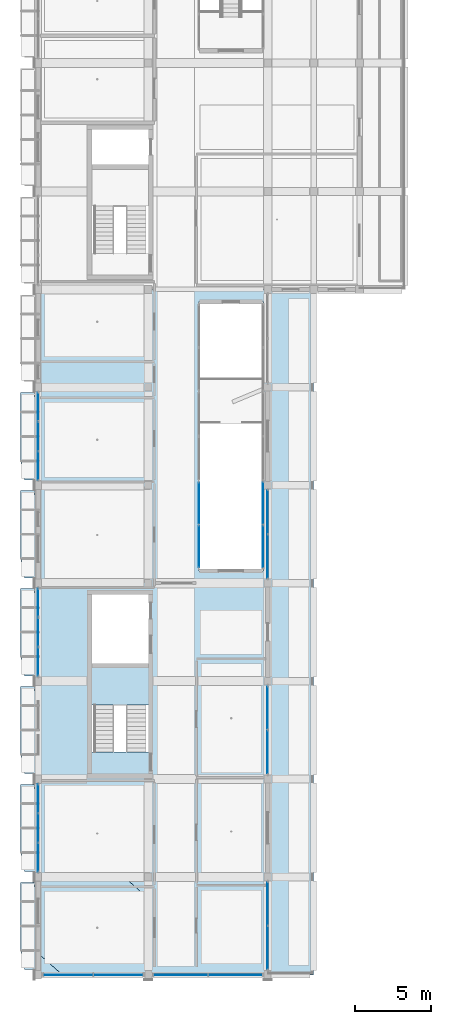
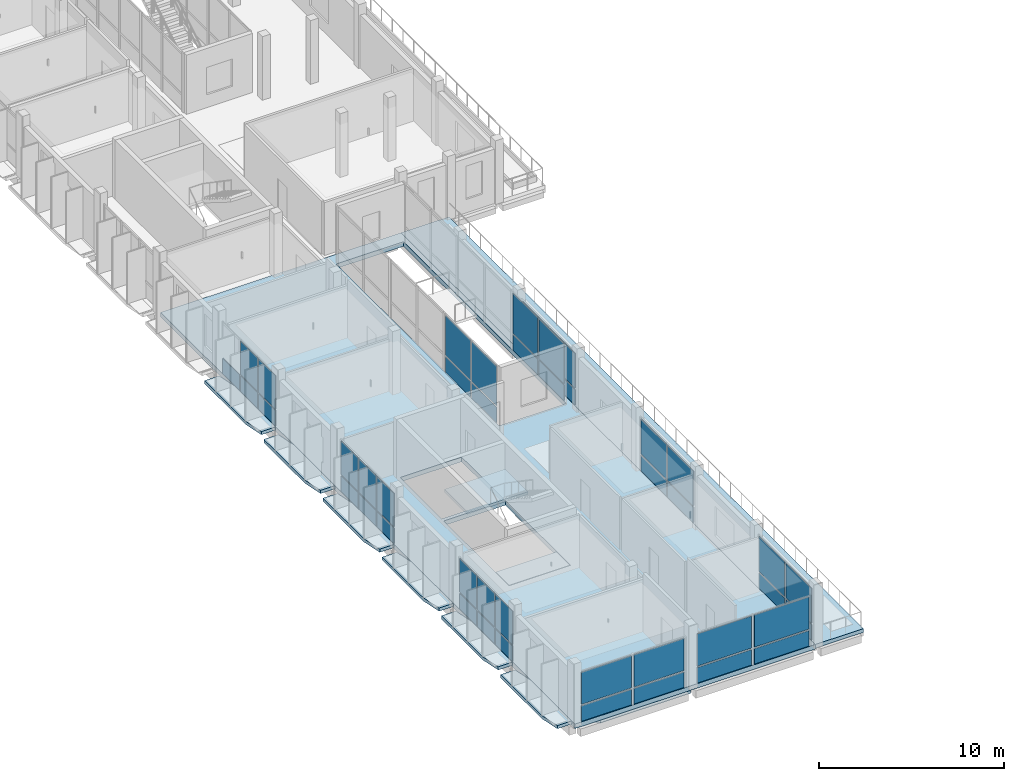
# One storey, part 29 of 85: 45 plates, 11 slabs, 11 elements without a shape of their own.
"""IFC4 building model written with IfcOpenShell, lengths in metres."""

from ifc_helpers import new_model, si_unit, derived_unit, direction, frame, origin, origin_2d, place, context, subcontext, project, spatial, polyline, rectangle, outline, extrude, material, layer, layer_set, type_object, element, aggregate, save


model = new_model("IFC4")

# Units and contexts
model_context = context("Model", 3, precision=1e-05, world=origin(), true_north=direction((0.0, 1.0)))
body_context = subcontext(model_context, "Body", "Model", "MODEL_VIEW")
ifc_project = project(units=[si_unit("LENGTHUNIT", "METRE"), si_unit("AREAUNIT", "SQUARE_METRE"), si_unit("VOLUMEUNIT", "CUBIC_METRE"), si_unit("PLANEANGLEUNIT", "RADIAN"), si_unit("MASSUNIT", "GRAM", prefix="KILO"), derived_unit("THERMALTRANSMITTANCEUNIT", [(si_unit("POWERUNIT", "WATT"), 1), (si_unit("LENGTHUNIT", "METRE"), -2), (si_unit("THERMODYNAMICTEMPERATUREUNIT", "KELVIN"), -1)])], contexts=[model_context])

# Site, building, storey
site_placement = place(None, origin())
site = spatial("IfcSite", under=ifc_project, at=site_placement, CompositionType="ELEMENT")
building_placement = place(site_placement, origin())
building = spatial("IfcBuilding", under=site, at=building_placement, Name="Braskholm Square Health Centre", CompositionType="ELEMENT")
storey_placement = place(building_placement, frame((0.0, 0.0, 9.300048828125)))
storey = spatial("IfcBuildingStorey", under=building, at=storey_placement, Name="L03", CompositionType="ELEMENT", Elevation=9.300048828125)

# Curtain wall, plates
ifc_material_1 = material(Name="Low-E triple insulating glass (VLT 0.64)", Category="glass")
curtain_wall_type_1 = type_object("IfcCurtainWallType", Name="UnitisedCurtainWall6200x3650", PredefinedType="NOTDEFINED", material=ifc_material_1)
curtain_wall_1_placement = place(storey_placement, origin())
curtain_wall_1 = element("IfcCurtainWall", 1, at=curtain_wall_1_placement, inside=storey, type_object=curtain_wall_type_1, Name="West Outer unitised curtain wall CW-L03-0014", PredefinedType="NOTDEFINED")
ifc_material_2 = material(Name="Architectural bronze anodised aluminium", Category="aluminium")
plate_type_1 = type_object("IfcPlateType", Name="CurtainPanelSpandrel1850x1020", PredefinedType="CURTAIN_PANEL", material=ifc_material_2)
plate_1_placement = place(storey_placement, frame((4.199951171875, 15.739990234375, 0.050048828125), z_axis=(0.0, 0.0, 1.0), x_axis=(0.0, -1.0, 0.0)))
plate_1 = element("IfcPlate", 2, at=plate_1_placement, type_object=plate_type_1, Name="CW-L03-0014 spandrel panel 1", PredefinedType="CURTAIN_PANEL", context=body_context, shape_type="SweptSolid", body=[
    extrude(rectangle(XDim=1.823486328125, YDim=0.035888671875, at=origin_2d()), origin(), (0.0, 0.0, 1.0), 1.02001953125),
])
plate_2_placement = place(storey_placement, frame((4.199951171875, 13.800048828125, 0.050048828125), z_axis=(0.0, 0.0, 1.0), x_axis=(0.0, -1.0, 0.0)))
plate_2 = element("IfcPlate", 3, at=plate_2_placement, type_object=plate_type_1, Name="CW-L03-0014 spandrel panel 2", PredefinedType="CURTAIN_PANEL", context=body_context, shape_type="SweptSolid", body=[
    extrude(rectangle(XDim=1.823486328125, YDim=0.035888671875, at=origin_2d()), origin(), (0.0, 0.0, 1.0), 1.02001953125),
])
plate_3_placement = place(storey_placement, frame((4.199951171875, 11.860107421875, 0.050048828125), z_axis=(0.0, 0.0, 1.0), x_axis=(0.0, -1.0, 0.0)))
plate_3 = element("IfcPlate", 4, at=plate_3_placement, type_object=plate_type_1, Name="CW-L03-0014 spandrel panel 3", PredefinedType="CURTAIN_PANEL", context=body_context, shape_type="SweptSolid", body=[
    extrude(rectangle(XDim=1.823486328125, YDim=0.035888671875, at=origin_2d()), origin(), (0.0, 0.0, 1.0), 1.02001953125),
])

curtain_wall_2_placement = place(storey_placement, origin())
curtain_wall_2 = element("IfcCurtainWall", 5, at=curtain_wall_2_placement, inside=storey, type_object=curtain_wall_type_1, Name="West Outer unitised curtain wall CW-L03-0015", PredefinedType="NOTDEFINED")
plate_4_placement = place(storey_placement, frame((4.199951171875, 28.5400390625, 0.050048828125), z_axis=(0.0, 0.0, 1.0), x_axis=(0.0, -1.0, 0.0)))
plate_4 = element("IfcPlate", 6, at=plate_4_placement, type_object=plate_type_1, Name="CW-L03-0015 spandrel panel 1", PredefinedType="CURTAIN_PANEL", context=body_context, shape_type="SweptSolid", body=[
    extrude(rectangle(XDim=1.823486328125, YDim=0.035888671875, at=origin_2d()), origin(), (0.0, 0.0, 1.0), 1.02001953125),
])
plate_5_placement = place(storey_placement, frame((4.199951171875, 26.60009765625, 0.050048828125), z_axis=(0.0, 0.0, 1.0), x_axis=(0.0, -1.0, 0.0)))
plate_5 = element("IfcPlate", 7, at=plate_5_placement, type_object=plate_type_1, Name="CW-L03-0015 spandrel panel 2", PredefinedType="CURTAIN_PANEL", context=body_context, shape_type="SweptSolid", body=[
    extrude(rectangle(XDim=1.823486328125, YDim=0.035888671875, at=origin_2d()), origin(), (0.0, 0.0, 1.0), 1.02001953125),
])
plate_6_placement = place(storey_placement, frame((4.199951171875, 24.659912109375, 0.050048828125), z_axis=(0.0, 0.0, 1.0), x_axis=(0.0, -1.0, 0.0)))
plate_6 = element("IfcPlate", 8, at=plate_6_placement, type_object=plate_type_1, Name="CW-L03-0015 spandrel panel 3", PredefinedType="CURTAIN_PANEL", context=body_context, shape_type="SweptSolid", body=[
    extrude(rectangle(XDim=1.823486328125, YDim=0.035888671875, at=origin_2d()), origin(), (0.0, 0.0, 1.0), 1.02001953125),
])

curtain_wall_3_placement = place(storey_placement, origin())
curtain_wall_3 = element("IfcCurtainWall", 9, at=curtain_wall_3_placement, inside=storey, type_object=curtain_wall_type_1, Name="West Outer unitised curtain wall CW-L03-0016", PredefinedType="NOTDEFINED")
plate_7_placement = place(storey_placement, frame((4.199951171875, 41.340087890625, 0.050048828125), z_axis=(0.0, 0.0, 1.0), x_axis=(0.0, -1.0, 0.0)))
plate_7 = element("IfcPlate", 10, at=plate_7_placement, type_object=plate_type_1, Name="CW-L03-0016 spandrel panel 1", PredefinedType="CURTAIN_PANEL", context=body_context, shape_type="SweptSolid", body=[
    extrude(rectangle(XDim=1.823486328125, YDim=0.035888671875, at=origin_2d()), origin(), (0.0, 0.0, 1.0), 1.02001953125),
])
plate_8_placement = place(storey_placement, frame((4.199951171875, 39.39990234375, 0.050048828125), z_axis=(0.0, 0.0, 1.0), x_axis=(0.0, -1.0, 0.0)))
plate_8 = element("IfcPlate", 11, at=plate_8_placement, type_object=plate_type_1, Name="CW-L03-0016 spandrel panel 2", PredefinedType="CURTAIN_PANEL", context=body_context, shape_type="SweptSolid", body=[
    extrude(rectangle(XDim=1.823486328125, YDim=0.035888671875, at=origin_2d()), origin(), (0.0, 0.0, 1.0), 1.02001953125),
])
plate_9_placement = place(storey_placement, frame((4.199951171875, 37.4599609375, 0.050048828125), z_axis=(0.0, 0.0, 1.0), x_axis=(0.0, -1.0, 0.0)))
plate_9 = element("IfcPlate", 12, at=plate_9_placement, type_object=plate_type_1, Name="CW-L03-0016 spandrel panel 3", PredefinedType="CURTAIN_PANEL", context=body_context, shape_type="SweptSolid", body=[
    extrude(rectangle(XDim=1.823486328125, YDim=0.035888671875, at=origin_2d()), origin(), (0.0, 0.0, 1.0), 1.02001953125),
])

curtain_wall_4_placement = place(storey_placement, origin())
curtain_wall_4 = element("IfcCurtainWall", 13, at=curtain_wall_4_placement, inside=storey, type_object=curtain_wall_type_1, Name="West Valley unitised curtain wall CW-L03-0090", PredefinedType="NOTDEFINED")
plate_type_2 = type_object("IfcPlateType", Name="CurtainPanelSpandrel2750x1020", PredefinedType="CURTAIN_PANEL", material=ifc_material_2)
plate_10_placement = place(storey_placement, frame((19.199951171875, 5.97021484375, 0.050048828125), z_axis=(0.0, 0.0, 1.0), x_axis=(0.0, 1.0, 0.0)))
plate_10 = element("IfcPlate", 14, at=plate_10_placement, type_object=plate_type_2, Name="CW-L03-0090 spandrel panel 1", PredefinedType="CURTAIN_PANEL", context=body_context, shape_type="SweptSolid", body=[
    extrude(rectangle(XDim=2.74951171875, YDim=0.035888671875, at=origin_2d()), origin(), (0.0, 0.0, 1.0), 1.02001953125),
])
plate_11_placement = place(storey_placement, frame((19.199951171875, 8.85986328125, 0.050048828125), z_axis=(0.0, 0.0, 1.0), x_axis=(0.0, 1.0, 0.0)))
plate_11 = element("IfcPlate", 15, at=plate_11_placement, type_object=plate_type_2, Name="CW-L03-0090 spandrel panel 2", PredefinedType="CURTAIN_PANEL", context=body_context, shape_type="SweptSolid", body=[
    extrude(rectangle(XDim=2.74951171875, YDim=0.035888671875, at=origin_2d()), origin(), (0.0, 0.0, 1.0), 1.02001953125),
])

curtain_wall_5_placement = place(storey_placement, origin())
curtain_wall_5 = element("IfcCurtainWall", 16, at=curtain_wall_5_placement, inside=storey, type_object=curtain_wall_type_1, Name="West Valley unitised curtain wall CW-L03-0091", PredefinedType="NOTDEFINED")
plate_12_placement = place(storey_placement, frame((19.199951171875, 18.74755859375, 0.050048828125), z_axis=(0.0, 0.0, 1.0), x_axis=(0.0, 1.0, 0.0)))
plate_12 = element("IfcPlate", 17, at=plate_12_placement, type_object=plate_type_2, Name="CW-L03-0091 spandrel panel 1", PredefinedType="CURTAIN_PANEL", context=body_context, shape_type="SweptSolid", body=[
    extrude(rectangle(XDim=2.763671875, YDim=0.035888671875, at=origin_2d()), origin(), (0.0, 0.0, 1.0), 1.02001953125),
])
plate_13_placement = place(storey_placement, frame((19.199951171875, 21.65234375, 0.050048828125), z_axis=(0.0, 0.0, 1.0), x_axis=(0.0, 1.0, 0.0)))
plate_13 = element("IfcPlate", 18, at=plate_13_placement, type_object=plate_type_2, Name="CW-L03-0091 spandrel panel 2", PredefinedType="CURTAIN_PANEL", context=body_context, shape_type="SweptSolid", body=[
    extrude(rectangle(XDim=2.763671875, YDim=0.035888671875, at=origin_2d()), origin(), (0.0, 0.0, 1.0), 1.02001953125),
])

curtain_wall_6_placement = place(storey_placement, origin())
curtain_wall_6 = element("IfcCurtainWall", 19, at=curtain_wall_6_placement, inside=storey, type_object=curtain_wall_type_1, Name="West Valley unitised curtain wall CW-L03-0092", PredefinedType="NOTDEFINED")
plate_14_placement = place(storey_placement, frame((19.199951171875, 31.547607421875, 0.050048828125), z_axis=(0.0, 0.0, 1.0), x_axis=(0.0, 1.0, 0.0)))
plate_14 = element("IfcPlate", 20, at=plate_14_placement, type_object=plate_type_2, Name="CW-L03-0092 spandrel panel 1", PredefinedType="CURTAIN_PANEL", context=body_context, shape_type="SweptSolid", body=[
    extrude(rectangle(XDim=2.763671875, YDim=0.035888671875, at=origin_2d()), origin(), (0.0, 0.0, 1.0), 1.02001953125),
])
plate_15_placement = place(storey_placement, frame((19.199951171875, 34.452392578125, 0.050048828125), z_axis=(0.0, 0.0, 1.0), x_axis=(0.0, 1.0, 0.0)))
plate_15 = element("IfcPlate", 21, at=plate_15_placement, type_object=plate_type_2, Name="CW-L03-0092 spandrel panel 2", PredefinedType="CURTAIN_PANEL", context=body_context, shape_type="SweptSolid", body=[
    extrude(rectangle(XDim=2.763671875, YDim=0.035888671875, at=origin_2d()), origin(), (0.0, 0.0, 1.0), 1.02001953125),
])

curtain_wall_type_2 = type_object("IfcCurtainWallType", Name="UnitisedCurtainWall5400x3800", PredefinedType="NOTDEFINED", material=ifc_material_1)
curtain_wall_7_placement = place(storey_placement, origin())
curtain_wall_7 = element("IfcCurtainWall", 22, at=curtain_wall_7_placement, inside=storey, type_object=curtain_wall_type_2, Name="WC1 Court W unitised curtain wall CW-L03-0261", PredefinedType="NOTDEFINED")
plate_16_placement = place(storey_placement, frame((14.699951171875, 32.187744140625, 0.050048828125), z_axis=(0.0, 0.0, 1.0), x_axis=(0.0, 1.0, 0.0)))
plate_16 = element("IfcPlate", 23, at=plate_16_placement, type_object=plate_type_2, Name="CW-L03-0261 spandrel panel 1", PredefinedType="CURTAIN_PANEL", context=body_context, shape_type="SweptSolid", body=[
    extrude(rectangle(XDim=2.689208984375, YDim=0.035888671875, at=origin_2d()), origin(), (0.0, 0.0, 1.0), 1.02001953125),
])
plate_17_placement = place(storey_placement, frame((14.699951171875, 35.014404296875, 0.050048828125), z_axis=(0.0, 0.0, 1.0), x_axis=(0.0, 1.0, 0.0)))
plate_17 = element("IfcPlate", 24, at=plate_17_placement, type_object=plate_type_2, Name="CW-L03-0261 spandrel panel 2", PredefinedType="CURTAIN_PANEL", context=body_context, shape_type="SweptSolid", body=[
    extrude(rectangle(XDim=2.689208984375, YDim=0.035888671875, at=origin_2d()), origin(), (0.0, 0.0, 1.0), 1.02001953125),
])

curtain_wall_8_placement = place(storey_placement, origin())
curtain_wall_8 = element("IfcCurtainWall", 25, at=curtain_wall_8_placement, inside=storey, type_object=curtain_wall_type_2, Name="WC1 Court E unitised curtain wall CW-L03-0262", PredefinedType="NOTDEFINED")
plate_18_placement = place(storey_placement, frame((18.89990234375, 35.014404296875, 0.050048828125), z_axis=(0.0, 0.0, 1.0), x_axis=(0.0, -1.0, 0.0)))
plate_18 = element("IfcPlate", 26, at=plate_18_placement, type_object=plate_type_2, Name="CW-L03-0262 spandrel panel 1", PredefinedType="CURTAIN_PANEL", context=body_context, shape_type="SweptSolid", body=[
    extrude(rectangle(XDim=2.689208984375, YDim=0.035888671875, at=origin_2d()), origin(), (0.0, 0.0, 1.0), 1.02001953125),
])
plate_19_placement = place(storey_placement, frame((18.89990234375, 32.187744140625, 0.050048828125), z_axis=(0.0, 0.0, 1.0), x_axis=(0.0, -1.0, 0.0)))
plate_19 = element("IfcPlate", 27, at=plate_19_placement, type_object=plate_type_2, Name="CW-L03-0262 spandrel panel 2", PredefinedType="CURTAIN_PANEL", context=body_context, shape_type="SweptSolid", body=[
    extrude(rectangle(XDim=2.689208984375, YDim=0.035888671875, at=origin_2d()), origin(), (0.0, 0.0, 1.0), 1.02001953125),
])

curtain_wall_9_placement = place(storey_placement, origin())
curtain_wall_9 = element("IfcCurtainWall", 28, at=curtain_wall_9_placement, inside=storey, type_object=curtain_wall_type_1, Name="Wing End unitised curtain wall CW-L03-0147", PredefinedType="NOTDEFINED")
plate_type_3 = type_object("IfcPlateType", Name="CurtainPanelSpandrel3150x1020", PredefinedType="CURTAIN_PANEL", material=ifc_material_2)
plate_20_placement = place(storey_placement, frame((6.159912109375, 4.199951171875, 0.050048828125), z_axis=(0.0, 0.0, 1.0), x_axis=(1.0, 0.0, 0.0)))
plate_20 = element("IfcPlate", 29, at=plate_20_placement, type_object=plate_type_3, Name="CW-L03-0147 spandrel panel 1", PredefinedType="CURTAIN_PANEL", context=body_context, shape_type="SweptSolid", body=[
    extrude(rectangle(XDim=3.120849609375, YDim=0.035888671875, at=origin_2d()), origin(), (0.0, 0.0, 1.0), 1.02001953125),
])
plate_21_placement = place(storey_placement, frame((9.440185546875, 4.199951171875, 0.050048828125), z_axis=(0.0, 0.0, 1.0), x_axis=(1.0, 0.0, 0.0)))
plate_21 = element("IfcPlate", 30, at=plate_21_placement, type_object=plate_type_3, Name="CW-L03-0147 spandrel panel 2", PredefinedType="CURTAIN_PANEL", context=body_context, shape_type="SweptSolid", body=[
    extrude(rectangle(XDim=3.120849609375, YDim=0.035888671875, at=origin_2d()), origin(), (0.0, 0.0, 1.0), 1.02001953125),
])

curtain_wall_10_placement = place(storey_placement, origin())
curtain_wall_10 = element("IfcCurtainWall", 31, at=curtain_wall_10_placement, inside=storey, type_object=curtain_wall_type_1, Name="Wing End unitised curtain wall CW-L03-0148", PredefinedType="NOTDEFINED")
plate_22_placement = place(storey_placement, frame((13.51171875, 4.199951171875, 0.050048828125), z_axis=(0.0, 0.0, 1.0), x_axis=(1.0, 0.0, 0.0)))
plate_22 = element("IfcPlate", 32, at=plate_22_placement, type_object=plate_type_3, Name="CW-L03-0148 spandrel panel 1", PredefinedType="CURTAIN_PANEL", context=body_context, shape_type="SweptSolid", body=[
    extrude(rectangle(XDim=3.40283203125, YDim=0.035888671875, at=origin_2d()), origin(), (0.0, 0.0, 1.0), 1.02001953125),
])
plate_23_placement = place(storey_placement, frame((17.08837890625, 4.199951171875, 0.050048828125), z_axis=(0.0, 0.0, 1.0), x_axis=(1.0, 0.0, 0.0)))
plate_23 = element("IfcPlate", 33, at=plate_23_placement, type_object=plate_type_3, Name="CW-L03-0148 spandrel panel 2", PredefinedType="CURTAIN_PANEL", context=body_context, shape_type="SweptSolid", body=[
    extrude(rectangle(XDim=3.40283203125, YDim=0.035888671875, at=origin_2d()), origin(), (0.0, 0.0, 1.0), 1.02001953125),
])

# Plate
plate_type_4 = type_object("IfcPlateType", Name="CurtainPanelVision1850x2120", PredefinedType="CURTAIN_PANEL", material=ifc_material_1)
plate_24_placement = place(storey_placement, frame((4.199951171875, 15.739990234375, 1.169921875), z_axis=(0.0, 0.0, 1.0), x_axis=(0.0, -1.0, 0.0)))
plate_24 = element("IfcPlate", 34, at=plate_24_placement, type_object=plate_type_4, Name="CW-L03-0014 vision glass panel 1", PredefinedType="CURTAIN_PANEL", context=body_context, shape_type="SweptSolid", body=[
    extrude(rectangle(XDim=1.823486328125, YDim=0.035888671875, at=origin_2d()), origin(), (0.0, 0.0, 1.0), 2.199951171875),
])

plate_25_placement = place(storey_placement, frame((4.199951171875, 13.800048828125, 1.169921875), z_axis=(0.0, 0.0, 1.0), x_axis=(0.0, -1.0, 0.0)))
plate_25 = element("IfcPlate", 35, at=plate_25_placement, type_object=plate_type_4, Name="CW-L03-0014 vision glass panel 2", PredefinedType="CURTAIN_PANEL", context=body_context, shape_type="SweptSolid", body=[
    extrude(rectangle(XDim=1.823486328125, YDim=0.035888671875, at=origin_2d()), origin(), (0.0, 0.0, 1.0), 2.199951171875),
])

plate_26_placement = place(storey_placement, frame((4.199951171875, 11.860107421875, 1.169921875), z_axis=(0.0, 0.0, 1.0), x_axis=(0.0, -1.0, 0.0)))
plate_26 = element("IfcPlate", 36, at=plate_26_placement, type_object=plate_type_4, Name="CW-L03-0014 vision glass panel 3", PredefinedType="CURTAIN_PANEL", context=body_context, shape_type="SweptSolid", body=[
    extrude(rectangle(XDim=1.823486328125, YDim=0.035888671875, at=origin_2d()), origin(), (0.0, 0.0, 1.0), 2.199951171875),
])

aggregate(curtain_wall_1, [plate_1, plate_24, plate_2, plate_25, plate_3, plate_26])

plate_27_placement = place(storey_placement, frame((4.199951171875, 28.5400390625, 1.169921875), z_axis=(0.0, 0.0, 1.0), x_axis=(0.0, -1.0, 0.0)))
plate_27 = element("IfcPlate", 37, at=plate_27_placement, type_object=plate_type_4, Name="CW-L03-0015 vision glass panel 1", PredefinedType="CURTAIN_PANEL", context=body_context, shape_type="SweptSolid", body=[
    extrude(rectangle(XDim=1.823486328125, YDim=0.035888671875, at=origin_2d()), origin(), (0.0, 0.0, 1.0), 2.199951171875),
])

plate_28_placement = place(storey_placement, frame((4.199951171875, 26.60009765625, 1.169921875), z_axis=(0.0, 0.0, 1.0), x_axis=(0.0, -1.0, 0.0)))
plate_28 = element("IfcPlate", 38, at=plate_28_placement, type_object=plate_type_4, Name="CW-L03-0015 vision glass panel 2", PredefinedType="CURTAIN_PANEL", context=body_context, shape_type="SweptSolid", body=[
    extrude(rectangle(XDim=1.823486328125, YDim=0.035888671875, at=origin_2d()), origin(), (0.0, 0.0, 1.0), 2.199951171875),
])

plate_29_placement = place(storey_placement, frame((4.199951171875, 24.659912109375, 1.169921875), z_axis=(0.0, 0.0, 1.0), x_axis=(0.0, -1.0, 0.0)))
plate_29 = element("IfcPlate", 39, at=plate_29_placement, type_object=plate_type_4, Name="CW-L03-0015 vision glass panel 3", PredefinedType="CURTAIN_PANEL", context=body_context, shape_type="SweptSolid", body=[
    extrude(rectangle(XDim=1.823486328125, YDim=0.035888671875, at=origin_2d()), origin(), (0.0, 0.0, 1.0), 2.199951171875),
])

aggregate(curtain_wall_2, [plate_4, plate_27, plate_5, plate_28, plate_6, plate_29])

plate_30_placement = place(storey_placement, frame((4.199951171875, 39.39990234375, 1.169921875), z_axis=(0.0, 0.0, 1.0), x_axis=(0.0, -1.0, 0.0)))
plate_30 = element("IfcPlate", 40, at=plate_30_placement, type_object=plate_type_4, Name="CW-L03-0016 vision glass panel 2", PredefinedType="CURTAIN_PANEL", context=body_context, shape_type="SweptSolid", body=[
    extrude(rectangle(XDim=1.823486328125, YDim=0.035888671875, at=origin_2d()), origin(), (0.0, 0.0, 1.0), 2.199951171875),
])

plate_31_placement = place(storey_placement, frame((4.199951171875, 37.4599609375, 1.169921875), z_axis=(0.0, 0.0, 1.0), x_axis=(0.0, -1.0, 0.0)))
plate_31 = element("IfcPlate", 41, at=plate_31_placement, type_object=plate_type_4, Name="CW-L03-0016 vision glass panel 3", PredefinedType="CURTAIN_PANEL", context=body_context, shape_type="SweptSolid", body=[
    extrude(rectangle(XDim=1.823486328125, YDim=0.035888671875, at=origin_2d()), origin(), (0.0, 0.0, 1.0), 2.199951171875),
])

aggregate(curtain_wall_3, [plate_7, plate_8, plate_30, plate_9, plate_31])

plate_type_5 = type_object("IfcPlateType", Name="CurtainPanelVision2750x2120", PredefinedType="CURTAIN_PANEL", material=ifc_material_1)
plate_32_placement = place(storey_placement, frame((19.199951171875, 5.97021484375, 1.169921875), z_axis=(0.0, 0.0, 1.0), x_axis=(0.0, 1.0, 0.0)))
plate_32 = element("IfcPlate", 42, at=plate_32_placement, type_object=plate_type_5, Name="CW-L03-0090 vision glass panel 1", PredefinedType="CURTAIN_PANEL", context=body_context, shape_type="SweptSolid", body=[
    extrude(rectangle(XDim=2.74951171875, YDim=0.035888671875, at=origin_2d()), origin(), (0.0, 0.0, 1.0), 2.2900390625),
])

plate_33_placement = place(storey_placement, frame((19.199951171875, 8.85986328125, 1.169921875), z_axis=(0.0, 0.0, 1.0), x_axis=(0.0, 1.0, 0.0)))
plate_33 = element("IfcPlate", 43, at=plate_33_placement, type_object=plate_type_5, Name="CW-L03-0090 vision glass panel 2", PredefinedType="CURTAIN_PANEL", context=body_context, shape_type="SweptSolid", body=[
    extrude(rectangle(XDim=2.74951171875, YDim=0.035888671875, at=origin_2d()), origin(), (0.0, 0.0, 1.0), 2.2900390625),
])

aggregate(curtain_wall_4, [plate_10, plate_32, plate_11, plate_33])

plate_34_placement = place(storey_placement, frame((19.199951171875, 18.74755859375, 1.169921875), z_axis=(0.0, 0.0, 1.0), x_axis=(0.0, 1.0, 0.0)))
plate_34 = element("IfcPlate", 44, at=plate_34_placement, type_object=plate_type_5, Name="CW-L03-0091 vision glass panel 1", PredefinedType="CURTAIN_PANEL", context=body_context, shape_type="SweptSolid", body=[
    extrude(rectangle(XDim=2.763671875, YDim=0.035888671875, at=origin_2d()), origin(), (0.0, 0.0, 1.0), 2.2900390625),
])

plate_35_placement = place(storey_placement, frame((19.199951171875, 21.65234375, 1.169921875), z_axis=(0.0, 0.0, 1.0), x_axis=(0.0, 1.0, 0.0)))
plate_35 = element("IfcPlate", 45, at=plate_35_placement, type_object=plate_type_5, Name="CW-L03-0091 vision glass panel 2", PredefinedType="CURTAIN_PANEL", context=body_context, shape_type="SweptSolid", body=[
    extrude(rectangle(XDim=2.763671875, YDim=0.035888671875, at=origin_2d()), origin(), (0.0, 0.0, 1.0), 2.2900390625),
])

aggregate(curtain_wall_5, [plate_12, plate_34, plate_13, plate_35])

plate_36_placement = place(storey_placement, frame((19.199951171875, 31.547607421875, 1.169921875), z_axis=(0.0, 0.0, 1.0), x_axis=(0.0, 1.0, 0.0)))
plate_36 = element("IfcPlate", 46, at=plate_36_placement, type_object=plate_type_5, Name="CW-L03-0092 vision glass panel 1", PredefinedType="CURTAIN_PANEL", context=body_context, shape_type="SweptSolid", body=[
    extrude(rectangle(XDim=2.763671875, YDim=0.035888671875, at=origin_2d()), origin(), (0.0, 0.0, 1.0), 2.2900390625),
])

plate_37_placement = place(storey_placement, frame((19.199951171875, 34.452392578125, 1.169921875), z_axis=(0.0, 0.0, 1.0), x_axis=(0.0, 1.0, 0.0)))
plate_37 = element("IfcPlate", 47, at=plate_37_placement, type_object=plate_type_5, Name="CW-L03-0092 vision glass panel 2", PredefinedType="CURTAIN_PANEL", context=body_context, shape_type="SweptSolid", body=[
    extrude(rectangle(XDim=2.763671875, YDim=0.035888671875, at=origin_2d()), origin(), (0.0, 0.0, 1.0), 2.2900390625),
])

aggregate(curtain_wall_6, [plate_14, plate_36, plate_15, plate_37])

plate_type_6 = type_object("IfcPlateType", Name="CurtainPanelVision2750x2520", PredefinedType="CURTAIN_PANEL", material=ifc_material_1)
plate_38_placement = place(storey_placement, frame((14.699951171875, 32.187744140625, 1.169921875), z_axis=(0.0, 0.0, 1.0), x_axis=(0.0, 1.0, 0.0)))
plate_38 = element("IfcPlate", 48, at=plate_38_placement, type_object=plate_type_6, Name="CW-L03-0261 vision glass panel 1", PredefinedType="CURTAIN_PANEL", context=body_context, shape_type="SweptSolid", body=[
    extrude(rectangle(XDim=2.689208984375, YDim=0.035888671875, at=origin_2d()), origin(), (0.0, 0.0, 1.0), 2.6201171875),
])

plate_39_placement = place(storey_placement, frame((14.699951171875, 35.014404296875, 1.169921875), z_axis=(0.0, 0.0, 1.0), x_axis=(0.0, 1.0, 0.0)))
plate_39 = element("IfcPlate", 49, at=plate_39_placement, type_object=plate_type_6, Name="CW-L03-0261 vision glass panel 2", PredefinedType="CURTAIN_PANEL", context=body_context, shape_type="SweptSolid", body=[
    extrude(rectangle(XDim=2.689208984375, YDim=0.035888671875, at=origin_2d()), origin(), (0.0, 0.0, 1.0), 2.6201171875),
])

aggregate(curtain_wall_7, [plate_16, plate_38, plate_17, plate_39])

plate_40_placement = place(storey_placement, frame((18.89990234375, 35.014404296875, 1.169921875), z_axis=(0.0, 0.0, 1.0), x_axis=(0.0, -1.0, 0.0)))
plate_40 = element("IfcPlate", 50, at=plate_40_placement, type_object=plate_type_6, Name="CW-L03-0262 vision glass panel 1", PredefinedType="CURTAIN_PANEL", context=body_context, shape_type="SweptSolid", body=[
    extrude(rectangle(XDim=2.689208984375, YDim=0.035888671875, at=origin_2d()), origin(), (0.0, 0.0, 1.0), 2.6201171875),
])

plate_41_placement = place(storey_placement, frame((18.89990234375, 32.187744140625, 1.169921875), z_axis=(0.0, 0.0, 1.0), x_axis=(0.0, -1.0, 0.0)))
plate_41 = element("IfcPlate", 51, at=plate_41_placement, type_object=plate_type_6, Name="CW-L03-0262 vision glass panel 2", PredefinedType="CURTAIN_PANEL", context=body_context, shape_type="SweptSolid", body=[
    extrude(rectangle(XDim=2.689208984375, YDim=0.035888671875, at=origin_2d()), origin(), (0.0, 0.0, 1.0), 2.6201171875),
])

aggregate(curtain_wall_8, [plate_18, plate_40, plate_19, plate_41])

plate_type_7 = type_object("IfcPlateType", Name="CurtainPanelVision3150x2120", PredefinedType="CURTAIN_PANEL", material=ifc_material_1)
plate_42_placement = place(storey_placement, frame((6.159912109375, 4.199951171875, 1.169921875), z_axis=(0.0, 0.0, 1.0), x_axis=(1.0, 0.0, 0.0)))
plate_42 = element("IfcPlate", 52, at=plate_42_placement, type_object=plate_type_7, Name="CW-L03-0147 vision glass panel 1", PredefinedType="CURTAIN_PANEL", context=body_context, shape_type="SweptSolid", body=[
    extrude(rectangle(XDim=3.120849609375, YDim=0.035888671875, at=origin_2d()), origin(), (0.0, 0.0, 1.0), 2.1201171875),
])

plate_43_placement = place(storey_placement, frame((9.440185546875, 4.199951171875, 1.169921875), z_axis=(0.0, 0.0, 1.0), x_axis=(1.0, 0.0, 0.0)))
plate_43 = element("IfcPlate", 53, at=plate_43_placement, type_object=plate_type_7, Name="CW-L03-0147 vision glass panel 2", PredefinedType="CURTAIN_PANEL", context=body_context, shape_type="SweptSolid", body=[
    extrude(rectangle(XDim=3.120849609375, YDim=0.035888671875, at=origin_2d()), origin(), (0.0, 0.0, 1.0), 2.1201171875),
])

aggregate(curtain_wall_9, [plate_20, plate_42, plate_21, plate_43])

plate_44_placement = place(storey_placement, frame((13.51171875, 4.199951171875, 1.169921875), z_axis=(0.0, 0.0, 1.0), x_axis=(1.0, 0.0, 0.0)))
plate_44 = element("IfcPlate", 54, at=plate_44_placement, type_object=plate_type_7, Name="CW-L03-0148 vision glass panel 1", PredefinedType="CURTAIN_PANEL", context=body_context, shape_type="SweptSolid", body=[
    extrude(rectangle(XDim=3.40283203125, YDim=0.035888671875, at=origin_2d()), origin(), (0.0, 0.0, 1.0), 2.1201171875),
])

plate_45_placement = place(storey_placement, frame((17.08837890625, 4.199951171875, 1.169921875), z_axis=(0.0, 0.0, 1.0), x_axis=(1.0, 0.0, 0.0)))
plate_45 = element("IfcPlate", 55, at=plate_45_placement, type_object=plate_type_7, Name="CW-L03-0148 vision glass panel 2", PredefinedType="CURTAIN_PANEL", context=body_context, shape_type="SweptSolid", body=[
    extrude(rectangle(XDim=3.40283203125, YDim=0.035888671875, at=origin_2d()), origin(), (0.0, 0.0, 1.0), 2.1201171875),
])

aggregate(curtain_wall_10, [plate_22, plate_44, plate_23, plate_45])

# Slabs
ifc_material_3 = material(Name="Precast concrete C40/50 architectural white", Category="concrete")
ifc_layer_1 = layer(ifc_material_3, 0.2099609375)
ifc_layer_set_1 = layer_set([ifc_layer_1], Name="Precast concrete C40/50 architectural white")
slab_type_1 = type_object("IfcSlabType", Name="PitchedAndCrownRoofSlab150", PredefinedType="ROOF", material=ifc_layer_set_1)
slab_1_placement = place(storey_placement, frame((0.0, 0.0, -0.2099609375)))
element("IfcSlab", 56, at=slab_1_placement, inside=storey, type_object=slab_type_1, Name="Level L03 West precast planter ledge 017", PredefinedType="ROOF", context=body_context, shape_type="SweptSolid", body=[
    extrude(outline(polyline([(3.302978515625, 4.550048828125), (4.199951171875, 4.550048828125), (4.199951171875, 8.99609375), (3.947021484375, 10.25), (3.050048828125, 10.25), (3.050048828125, 5.803955078125), (3.302978515625, 4.550048828125)])), origin(), (0.0, 0.0, 1.0), 0.2099609375),
])
slab_2_placement = place(storey_placement, frame((0.0, 0.0, -0.2099609375)))
element("IfcSlab", 57, at=slab_2_placement, inside=storey, type_object=slab_type_1, Name="Level L03 West precast planter ledge 018", PredefinedType="ROOF", context=body_context, shape_type="SweptSolid", body=[
    extrude(outline(polyline([(3.302978515625, 10.949951171875), (4.199951171875, 10.949951171875), (4.199951171875, 15.39599609375), (3.947021484375, 16.64990234375), (3.050048828125, 16.64990234375), (3.050048828125, 12.2041015625), (3.302978515625, 10.949951171875)])), origin(), (0.0, 0.0, 1.0), 0.2099609375),
])
slab_3_placement = place(storey_placement, frame((0.0, 0.0, -0.2099609375)))
element("IfcSlab", 58, at=slab_3_placement, inside=storey, type_object=slab_type_1, Name="Level L03 West precast planter ledge 019", PredefinedType="ROOF", context=body_context, shape_type="SweptSolid", body=[
    extrude(outline(polyline([(3.302978515625, 17.35009765625), (4.199951171875, 17.35009765625), (4.199951171875, 21.7958984375), (3.947021484375, 23.050048828125), (3.050048828125, 23.050048828125), (3.050048828125, 18.60400390625), (3.302978515625, 17.35009765625)])), origin(), (0.0, 0.0, 1.0), 0.2099609375),
])
slab_4_placement = place(storey_placement, frame((0.0, 0.0, -0.2099609375)))
element("IfcSlab", 59, at=slab_4_placement, inside=storey, type_object=slab_type_1, Name="Level L03 West precast planter ledge 020", PredefinedType="ROOF", context=body_context, shape_type="SweptSolid", body=[
    extrude(outline(polyline([(3.302978515625, 23.75), (4.199951171875, 23.75), (4.199951171875, 28.196044921875), (3.947021484375, 29.449951171875), (3.050048828125, 29.449951171875), (3.050048828125, 25.00390625), (3.302978515625, 23.75)])), origin(), (0.0, 0.0, 1.0), 0.2099609375),
])
slab_5_placement = place(storey_placement, frame((0.0, 0.0, -0.2099609375)))
element("IfcSlab", 60, at=slab_5_placement, inside=storey, type_object=slab_type_1, Name="Level L03 West precast planter ledge 021", PredefinedType="ROOF", context=body_context, shape_type="SweptSolid", body=[
    extrude(outline(polyline([(3.302978515625, 30.14990234375), (4.199951171875, 30.14990234375), (4.199951171875, 34.595947265625), (3.947021484375, 35.85009765625), (3.050048828125, 35.85009765625), (3.050048828125, 31.404052734375), (3.302978515625, 30.14990234375)])), origin(), (0.0, 0.0, 1.0), 0.2099609375),
])
slab_6_placement = place(storey_placement, frame((0.0, 0.0, -0.2099609375)))
element("IfcSlab", 61, at=slab_6_placement, inside=storey, type_object=slab_type_1, Name="Level L03 West precast planter ledge 022", PredefinedType="ROOF", context=body_context, shape_type="SweptSolid", body=[
    extrude(outline(polyline([(3.302978515625, 36.550048828125), (4.199951171875, 36.550048828125), (4.199951171875, 40.99609375), (3.947021484375, 42.25), (3.050048828125, 42.25), (3.050048828125, 37.803955078125), (3.302978515625, 36.550048828125)])), origin(), (0.0, 0.0, 1.0), 0.2099609375),
])
ifc_material_4 = material(Name="Concrete C35/45 (f'c = 35 MPa)", Category="concrete")
ifc_layer_2 = layer(ifc_material_4, 0.25)
ifc_layer_set_2 = layer_set([ifc_layer_2], Name="Concrete C35/45 (f'c = 35 MPa)")
slab_type_2 = type_object("IfcSlabType", Name="PlantedTerraceRoofSlab250", PredefinedType="ROOF", material=ifc_layer_set_2)
slab_7_placement = place(storey_placement, frame((0.0, 0.0, -0.25)))
element("IfcSlab", 62, at=slab_7_placement, inside=storey, type_object=slab_type_2, Name="Level L03 Southwest Step 1 planted therapy terrace slab", PredefinedType="ROOF", context=body_context, shape_type="SweptSolid", body=[
    extrude(outline(polyline([(19.199951171875, 4.199951171875), (22.199951171875, 4.199951171875), (22.199951171875, 49.0), (19.199951171875, 49.0), (19.199951171875, 4.199951171875)])), origin(), (0.0, 0.0, 1.0), 0.25),
])
ifc_layer_3 = layer(ifc_material_4, 0.199951171875)
ifc_layer_set_3 = layer_set([ifc_layer_3], Name="Concrete C35/45 (f'c = 35 MPa)")
slab_type_3 = type_object("IfcSlabType", Name="PunchingDropPanel200", PredefinedType="USERDEFINED", material=ifc_layer_set_3)
slab_8_placement = place(storey_placement, frame((0.0, 0.0, -0.5)))
element("IfcSlab", 63, at=slab_8_placement, inside=storey, type_object=slab_type_3, Name="Thickened vibration drop panel 009 L03", ObjectType="DROPPANEL", PredefinedType="USERDEFINED", context=body_context, shape_type="SweptSolid", body=[
    extrude(outline(polyline([(5.783935546875, 4.199951171875), (11.39990234375, 4.199951171875), (11.39990234375, 9.19189453125), (9.81591796875, 10.60009765625), (4.199951171875, 10.60009765625), (4.199951171875, 5.60791015625), (5.783935546875, 4.199951171875)])), origin(), (0.0, 0.0, 1.0), 0.199951171875),
])

# Stair, slabs
stair_type = type_object("IfcStairType", Name="ExitReturnStairL03", PredefinedType="HALF_TURN_STAIR", material=ifc_material_4)
stair_placement = place(storey_placement, origin())
stair = element("IfcStair", 64, at=stair_placement, inside=storey, type_object=stair_type, Name="Enclosed exit stair ST-01 L03 to L04", PredefinedType="HALF_TURN_STAIR")
ifc_layer_4 = layer(ifc_material_4, 0.179931640625)
ifc_layer_set_4 = layer_set([ifc_layer_4], Name="Concrete C35/45 (f'c = 35 MPa)")
slab_type_4 = type_object("IfcSlabType", Name="StairLandingSlab180", PredefinedType="LANDING", material=ifc_layer_set_4)
slab_9_placement = place(storey_placement, frame((0.0, 0.0, 1.919921875)))
slab_9 = element("IfcSlab", 65, at=slab_9_placement, type_object=slab_type_4, Name="Stair ST-01 half-landing L03", PredefinedType="LANDING", context=body_context, shape_type="SweptSolid", body=[
    extrude(outline(polyline([(7.64990234375, 21.840087890625), (11.449951171875, 21.840087890625), (11.449951171875, 24.300048828125), (7.64990234375, 24.300048828125), (7.64990234375, 21.840087890625)])), origin(), (0.0, 0.0, 1.0), 0.179931640625),
])
slab_10_placement = place(storey_placement, frame((0.0, 0.0, -0.179931640625)))
slab_10 = element("IfcSlab", 66, at=slab_10_placement, type_object=slab_type_4, Name="Stair ST-01 floor landing L03", PredefinedType="LANDING", context=body_context, shape_type="SweptSolid", body=[
    extrude(outline(polyline([(7.64990234375, 17.300048828125), (11.449951171875, 17.300048828125), (11.449951171875, 18.760009765625), (7.64990234375, 18.760009765625), (7.64990234375, 17.300048828125)])), origin(), (0.0, 0.0, 1.0), 0.179931640625),
])
aggregate(stair, [slab_9, slab_10])

# Slab
ifc_layer_5 = layer(ifc_material_4, 0.300048828125)
ifc_layer_set_5 = layer_set([ifc_layer_5], Name="Concrete C35/45 (f'c = 35 MPa)")
slab_type_5 = type_object("IfcSlabType", Name="TwoWayClinicalFlatSlab300", PredefinedType="FLOOR", material=ifc_layer_set_5)
slab_11_placement = place(storey_placement, frame((0.0, 0.0, -0.300048828125)))
element("IfcSlab", 67, at=slab_11_placement, inside=storey, type_object=slab_type_5, Name="Level L03 V2 Surgical recovery slab", PredefinedType="FLOOR", context=body_context, shape_type="SweptSolid", body=[
    extrude(outline(polyline([(4.199951171875, 4.199951171875), (19.199951171875, 4.199951171875), (19.199951171875, 49.0), (4.199951171875, 49.0), (4.199951171875, 4.199951171875)]), holes=[polyline([(7.6298828125, 17.280029296875), (11.469970703125, 17.280029296875), (11.469970703125, 24.320068359375), (7.6298828125, 24.320068359375), (7.6298828125, 17.280029296875)]), polyline([(7.6298828125, 24.550048828125), (11.469970703125, 24.550048828125), (11.469970703125, 29.050048828125), (7.6298828125, 29.050048828125), (7.6298828125, 24.550048828125)]), polyline([(14.699951171875, 30.60009765625), (18.89990234375, 30.60009765625), (18.89990234375, 48.199951171875), (14.699951171875, 48.199951171875), (14.699951171875, 30.60009765625)])]), origin(), (0.0, 0.0, 1.0), 0.300048828125),
])

save(model, "model.ifc")
